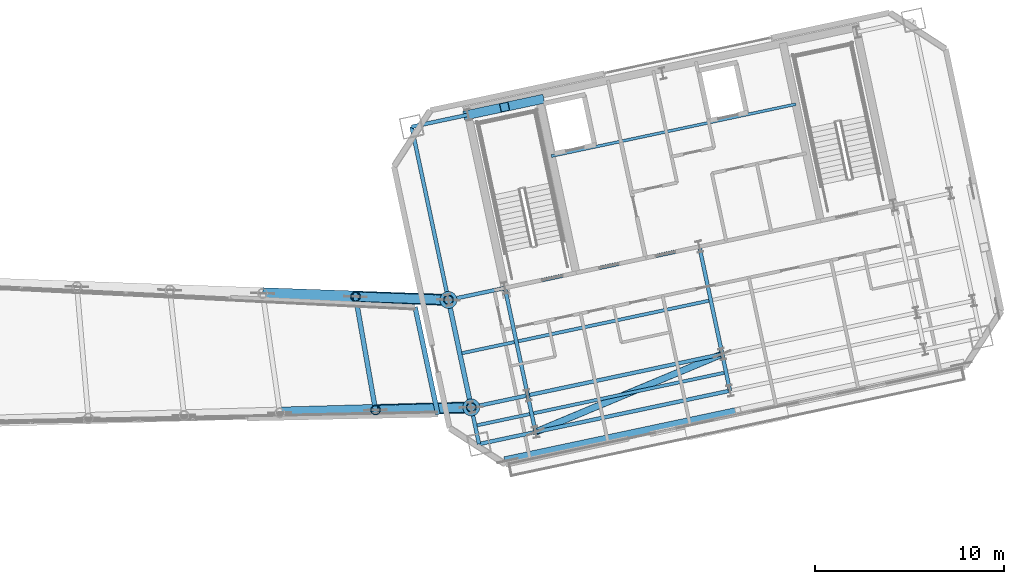
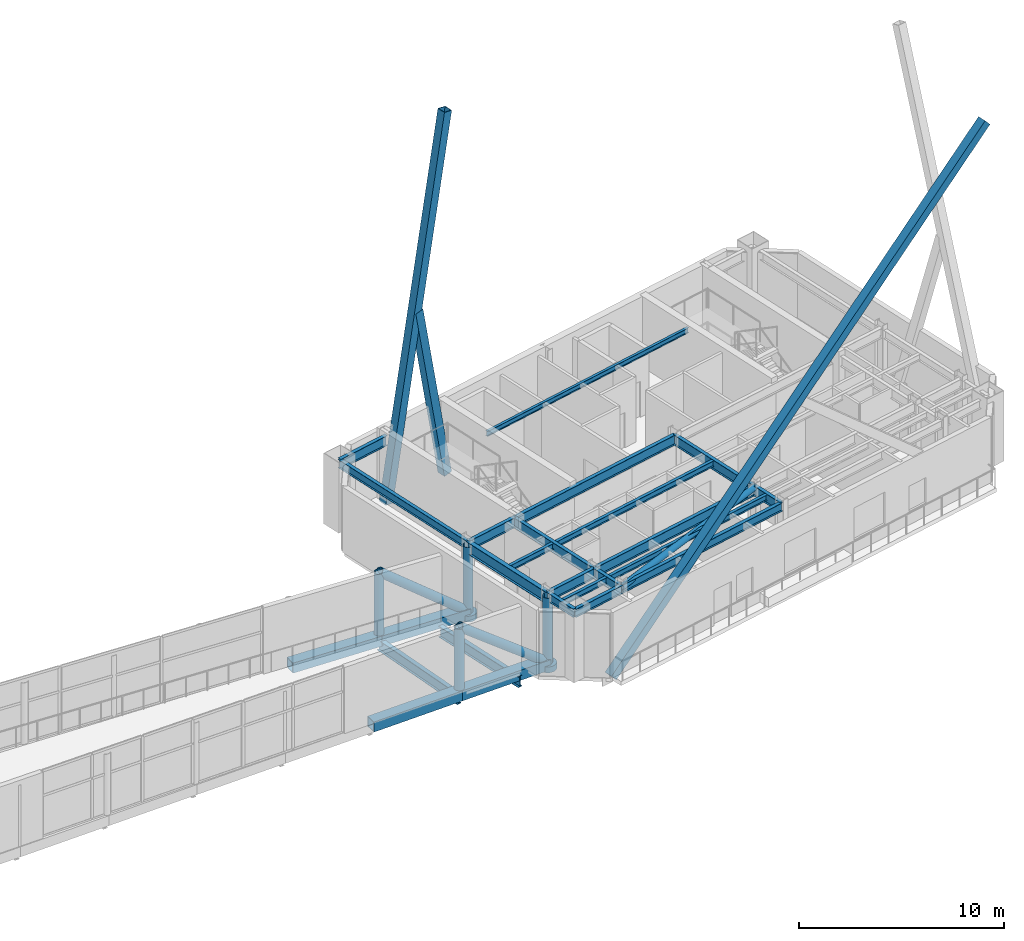
# One storey, part 10 of 23: 21 beams, 16 members.
"""IFC4 building model written with IfcOpenShell, lengths in metres."""

from ifc_helpers import new_model, si_unit, direction, frame, origin, origin_2d, place, context, subcontext, project, spatial, hollow_rectangle, circle, hollow_circle, i_section, extrude, material, material_profile, profile_set, type_object, element, save


model = new_model("IFC4")

# Units and contexts
model_context = context("Model", 3, precision=1e-05, world=origin(), true_north=direction((0.0, 1.0)))
body_context = subcontext(model_context, "Body", "Model", "MODEL_VIEW")
ifc_project = project(units=[si_unit("LENGTHUNIT", "METRE"), si_unit("AREAUNIT", "SQUARE_METRE"), si_unit("VOLUMEUNIT", "CUBIC_METRE"), si_unit("PLANEANGLEUNIT", "RADIAN"), si_unit("MASSUNIT", "GRAM", prefix="KILO")], contexts=[model_context])

# Site, building, storey
site_placement = place(None, origin())
site = spatial("IfcSite", under=ifc_project, at=site_placement, CompositionType="ELEMENT")
building_placement = place(site_placement, origin())
building = spatial("IfcBuilding", under=site, at=building_placement, Name="Haevon Station Towers", CompositionType="ELEMENT")
storey_placement = place(building_placement, frame((0.0, 0.0, 197.10009765625)))
storey = spatial("IfcBuildingStorey", under=building, at=storey_placement, Name="L54", CompositionType="ELEMENT", Elevation=197.10009765625)

# Beams
ifc_material_1 = material(Name="Steel S355", Category="steel")
ifc_material_profile_1 = material_profile(ifc_material_1, i_section(OverallWidth=0.199951171875, OverallDepth=0.60009765625, WebThickness=0.010986328125, FlangeThickness=0.01708984375, at=origin_2d()), Name="H-600x200x11x17")
ifc_profile_set_1 = profile_set([ifc_material_profile_1], Name="Steel S355")
beam_type_1 = type_object("IfcBeamType", Name="BM-G600", PredefinedType="BEAM", material=ifc_profile_set_1)
beam_1_placement = place(storey_placement, frame((96.974853515625, 31.135009765625, 3.599853515625), z_axis=(0.978154782045, 0.207877902534, 0.0), x_axis=(-0.207877902534, 0.978154782045, 0.0)))
element("IfcBeam", 1, at=beam_1_placement, inside=storey, type_object=beam_type_1, Name="BM-T2U-L54-02-01", PredefinedType="BEAM", context=body_context, shape_type="SweptSolid", body=[
    extrude(i_section(OverallWidth=0.199951171875, OverallDepth=0.60009765625, WebThickness=0.010986328125, FlangeThickness=0.01708984375, at=origin_2d()), origin(), (0.0, 0.0, 1.0), 3.050048828125),
])
beam_2_placement = place(storey_placement, frame((99.958251953125, 31.76904296875, 3.599853515625), z_axis=(0.978146794194, 0.207915485254, 0.0), x_axis=(-0.207915485254, 0.978146794194, 0.0)))
element("IfcBeam", 2, at=beam_2_placement, inside=storey, type_object=beam_type_1, Name="BM-T2U-L54-02-02", PredefinedType="BEAM", context=body_context, shape_type="SweptSolid", body=[
    extrude(i_section(OverallWidth=0.199951171875, OverallDepth=0.60009765625, WebThickness=0.010986328125, FlangeThickness=0.01708984375, at=origin_2d()), origin(), (0.0, 0.0, 1.0), 10.5),
])
beam_3_placement = place(storey_placement, frame((95.76904296875, 36.808349609375, 3.599853515625), z_axis=(0.978154782045, 0.207877902534, 0.0), x_axis=(-0.207877902534, 0.978154782045, 0.0)))
element("IfcBeam", 3, at=beam_3_placement, inside=storey, type_object=beam_type_1, Name="BM-T2U-L54-03-01", PredefinedType="BEAM", context=body_context, shape_type="SweptSolid", body=[
    extrude(i_section(OverallWidth=0.199951171875, OverallDepth=0.60009765625, WebThickness=0.010986328125, FlangeThickness=0.01708984375, at=origin_2d()), origin(), (0.0, 0.0, 1.0), 3.050048828125),
])
beam_4_placement = place(storey_placement, frame((98.75244140625, 37.4423828125, 3.599853515625), z_axis=(0.978146794194, 0.207915485254, 0.0), x_axis=(-0.207915485254, 0.978146794194, 0.0)))
element("IfcBeam", 4, at=beam_4_placement, inside=storey, type_object=beam_type_1, Name="BM-T2U-L54-03-02", PredefinedType="BEAM", context=body_context, shape_type="SweptSolid", body=[
    extrude(i_section(OverallWidth=0.199951171875, OverallDepth=0.60009765625, WebThickness=0.010986328125, FlangeThickness=0.01708984375, at=origin_2d()), origin(), (0.0, 0.0, 1.0), 10.5),
])
beam_5_placement = place(storey_placement, frame((93.824951171875, 45.953857421875, 3.599853515625), z_axis=(0.978138503145, 0.207954487003, 0.0), x_axis=(-0.207954487003, 0.978138503145, 0.0)))
element("IfcBeam", 5, at=beam_5_placement, inside=storey, type_object=beam_type_1, Name="BM-T2U-L54-04-01", PredefinedType="BEAM", context=body_context, shape_type="SweptSolid", body=[
    extrude(i_section(OverallWidth=0.199951171875, OverallDepth=0.60009765625, WebThickness=0.010986328125, FlangeThickness=0.01708984375, at=origin_2d()), origin(), (0.0, 0.0, 1.0), 3.050048828125),
])
beam_6_placement = place(storey_placement, frame((100.369873046875, 29.83251953125, 3.599853515625), z_axis=(-0.207911850433, 0.978147566806, 0.0), x_axis=(-0.978147566806, -0.207911850433, 0.0)))
element("IfcBeam", 6, at=beam_6_placement, inside=storey, type_object=beam_type_1, Name="BM-T2V-L54-02-01", PredefinedType="BEAM", context=body_context, shape_type="SweptSolid", body=[
    extrude(i_section(OverallWidth=0.199951171875, OverallDepth=0.60009765625, WebThickness=0.010986328125, FlangeThickness=0.01708984375, at=origin_2d()), origin(), (0.0, 0.0, 1.0), 1.979736328125),
])
beam_7_placement = place(storey_placement, frame((99.958251953125, 31.76904296875, 3.599853515625), z_axis=(-0.207896009217, 0.97815093383, 0.0), x_axis=(-0.97815093383, -0.207896009217, 0.0)))
element("IfcBeam", 7, at=beam_7_placement, inside=storey, type_object=beam_type_1, Name="BM-T2V-L54-02-02", PredefinedType="BEAM", context=body_context, shape_type="SweptSolid", body=[
    extrude(i_section(OverallWidth=0.199951171875, OverallDepth=0.60009765625, WebThickness=0.010986328125, FlangeThickness=0.01708984375, at=origin_2d()), origin(), (0.0, 0.0, 1.0), 5.800048828125),
])
beam_8_placement = place(storey_placement, frame((110.640380859375, 32.015380859375, 3.599853515625), z_axis=(-0.207886774674, 0.978152896492, 0.0), x_axis=(-0.978152896492, -0.207886774674, 0.0)))
element("IfcBeam", 8, at=beam_8_placement, inside=storey, type_object=beam_type_1, Name="BM-T2V-L54-03-01", PredefinedType="BEAM", context=body_context, shape_type="SweptSolid", body=[
    extrude(i_section(OverallWidth=0.199951171875, OverallDepth=0.60009765625, WebThickness=0.010986328125, FlangeThickness=0.01708984375, at=origin_2d()), origin(), (0.0, 0.0, 1.0), 1.97998046875),
])
beam_9_placement = place(storey_placement, frame((110.228759765625, 33.9521484375, 3.599853515625), z_axis=(-0.207896009217, 0.97815093383, 0.0), x_axis=(-0.97815093383, -0.207896009217, 0.0)))
element("IfcBeam", 9, at=beam_9_placement, inside=storey, type_object=beam_type_1, Name="BM-T2V-L54-03-02", PredefinedType="BEAM", context=body_context, shape_type="SweptSolid", body=[
    extrude(i_section(OverallWidth=0.199951171875, OverallDepth=0.60009765625, WebThickness=0.010986328125, FlangeThickness=0.01708984375, at=origin_2d()), origin(), (0.0, 0.0, 1.0), 5.800048828125),
])
ifc_material_profile_2 = material_profile(ifc_material_1, i_section(OverallWidth=0.25, OverallDepth=0.64990234375, WebThickness=0.012939453125, FlangeThickness=0.02197265625, at=origin_2d()), Name="H-650x250x13x22")
ifc_profile_set_2 = profile_set([ifc_material_profile_2], Name="Steel S355")
beam_type_2 = type_object("IfcBeamType", Name="BM-G650", PredefinedType="BEAM", material=ifc_profile_set_2)
beam_10_placement = place(storey_placement, frame((91.918701171875, 30.9931640625, -0.625), z_axis=(-0.173512789703, 0.984831615968, 0.0), x_axis=(-0.984831615968, -0.173512789703, 0.0)))
element("IfcBeam", 10, at=beam_10_placement, inside=storey, type_object=beam_type_2, Name="BM-SKP-L54-7", PredefinedType="BEAM", context=body_context, shape_type="SweptSolid", body=[
    extrude(i_section(OverallWidth=0.25, OverallDepth=0.64990234375, WebThickness=0.012939453125, FlangeThickness=0.02197265625, at=origin_2d()), origin(), (0.0, 0.0, 1.0), 6.081298828125),
])
beam_11_placement = place(storey_placement, frame((95.214111328125, 30.7607421875, -0.625), z_axis=(-0.207896009217, 0.97815093383, 0.0), x_axis=(-0.97815093383, -0.207896009217, 0.0)))
element("IfcBeam", 11, at=beam_11_placement, inside=storey, type_object=beam_type_2, Name="BM-SKP-L54-EEDGE", PredefinedType="BEAM", context=body_context, shape_type="SweptSolid", body=[
    extrude(i_section(OverallWidth=0.25, OverallDepth=0.64990234375, WebThickness=0.012939453125, FlangeThickness=0.02197265625, at=origin_2d()), origin(), (0.0, 0.0, 1.0), 5.800048828125),
])
ifc_material_profile_3 = material_profile(ifc_material_1, i_section(OverallWidth=0.25, OverallDepth=0.699951171875, WebThickness=0.012939453125, FlangeThickness=0.02392578125, at=origin_2d()), Name="H-700x250x13x24")
ifc_profile_set_3 = profile_set([ifc_material_profile_3], Name="Steel S355")
beam_type_3 = type_object("IfcBeamType", Name="BM-G700", PredefinedType="BEAM", material=ifc_profile_set_3)
beam_12_placement = place(storey_placement, frame((96.974853515625, 31.135009765625, 3.5498046875), z_axis=(-0.207896009217, 0.97815093383, 0.0), x_axis=(-0.97815093383, -0.207896009217, 0.0)))
element("IfcBeam", 12, at=beam_12_placement, inside=storey, type_object=beam_type_3, Name="BM-T2V-L54-01-02", PredefinedType="BEAM", context=body_context, shape_type="SweptSolid", body=[
    extrude(i_section(OverallWidth=0.25, OverallDepth=0.699951171875, WebThickness=0.012939453125, FlangeThickness=0.02392578125, at=origin_2d()), origin(), (0.0, 0.0, 1.0), 5.800048828125),
])
ifc_material_profile_4 = material_profile(ifc_material_1, i_section(OverallWidth=0.175048828125, OverallDepth=0.35009765625, WebThickness=0.007080078125, FlangeThickness=0.010986328125, at=origin_2d()), Name="H-350x175x7x11")
ifc_profile_set_4 = profile_set([ifc_material_profile_4], Name="Steel S355")
beam_type_4 = type_object("IfcBeamType", Name="BM-J350", PredefinedType="JOIST", material=ifc_profile_set_4)
beam_13_placement = place(storey_placement, frame((97.288330078125, 30.189453125, 3.724853515625), z_axis=(0.9781470094, 0.207914472804, 0.0), x_axis=(-0.207914472804, 0.9781470094, 0.0)))
element("IfcBeam", 13, at=beam_13_placement, inside=storey, type_object=beam_type_4, Name="BM-T2J-L54-01-01", PredefinedType="JOIST", context=body_context, shape_type="SweptSolid", body=[
    extrude(i_section(OverallWidth=0.175048828125, OverallDepth=0.35009765625, WebThickness=0.007080078125, FlangeThickness=0.010986328125, at=origin_2d()), origin(), (0.0, 0.0, 1.0), 2.829833984375),
])
beam_14_placement = place(storey_placement, frame((100.271728515625, 30.82373046875, 3.724853515625), z_axis=(0.978149313139, 0.20790363442, 0.0), x_axis=(-0.20790363442, 0.978149313139, 0.0)))
element("IfcBeam", 14, at=beam_14_placement, inside=storey, type_object=beam_type_4, Name="BM-T2J-L54-01-02", PredefinedType="JOIST", context=body_context, shape_type="SweptSolid", body=[
    extrude(i_section(OverallWidth=0.175048828125, OverallDepth=0.35009765625, WebThickness=0.007080078125, FlangeThickness=0.010986328125, at=origin_2d()), origin(), (0.0, 0.0, 1.0), 10.27978515625),
])
beam_15_placement = place(storey_placement, frame((96.4794921875, 33.99462890625, 3.724853515625), z_axis=(0.978150738312, 0.207896929124, 0.0), x_axis=(-0.207896929124, 0.978150738312, 0.0)))
element("IfcBeam", 15, at=beam_15_placement, inside=storey, type_object=beam_type_4, Name="BM-T2J-L54-02-01", PredefinedType="JOIST", context=body_context, shape_type="SweptSolid", body=[
    extrude(i_section(OverallWidth=0.175048828125, OverallDepth=0.35009765625, WebThickness=0.007080078125, FlangeThickness=0.010986328125, at=origin_2d()), origin(), (0.0, 0.0, 1.0), 2.830078125),
])
beam_16_placement = place(storey_placement, frame((99.462890625, 34.628662109375, 3.724853515625), z_axis=(0.978150339653, 0.207898804801, 0.0), x_axis=(-0.207898804801, 0.978150339653, 0.0)))
element("IfcBeam", 16, at=beam_16_placement, inside=storey, type_object=beam_type_4, Name="BM-T2J-L54-02-02", PredefinedType="JOIST", context=body_context, shape_type="SweptSolid", body=[
    extrude(i_section(OverallWidth=0.175048828125, OverallDepth=0.35009765625, WebThickness=0.007080078125, FlangeThickness=0.010986328125, at=origin_2d()), origin(), (0.0, 0.0, 1.0), 10.280029296875),
])
ifc_material_profile_5 = material_profile(ifc_material_1, i_section(OverallWidth=0.14990234375, OverallDepth=0.300048828125, WebThickness=0.006591796875, FlangeThickness=0.009033203125, at=origin_2d()), Name="H-300x150x6.5x9")
ifc_profile_set_5 = profile_set([ifc_material_profile_5], Name="Steel S355")
beam_type_5 = type_object("IfcBeamType", Name="BM-LIN300", PredefinedType="LINTEL", material=ifc_profile_set_5)
beam_17_placement = place(storey_placement, frame((101.20849609375, 44.4052734375, 3.75), z_axis=(0.978147802964, 0.207910739399, 0.0), x_axis=(-0.207910739399, 0.978147802964, 0.0)))
element("IfcBeam", 17, at=beam_17_placement, inside=storey, type_object=beam_type_5, Name="BM-T2LIN-L54", PredefinedType="LINTEL", context=body_context, shape_type="SweptSolid", body=[
    extrude(i_section(OverallWidth=0.14990234375, OverallDepth=0.300048828125, WebThickness=0.006591796875, FlangeThickness=0.009033203125, at=origin_2d()), origin(), (0.0, 0.0, 1.0), 13.19970703125),
])
ifc_material_profile_6 = material_profile(ifc_material_1, i_section(OverallWidth=0.199951171875, OverallDepth=0.5, WebThickness=0.010009765625, FlangeThickness=0.01611328125, at=origin_2d()), Name="H-500x200x10x16")
ifc_profile_set_6 = profile_set([ifc_material_profile_6], Name="Steel S355")
beam_type_6 = type_object("IfcBeamType", Name="BM-SP500", PredefinedType="SPANDREL", material=ifc_profile_set_6)
beam_18_placement = place(storey_placement, frame((97.386474609375, 29.1982421875, 3.64990234375), z_axis=(0.978138503145, 0.207954487003, 0.0), x_axis=(-0.207954487003, 0.978138503145, 0.0)))
element("IfcBeam", 18, at=beam_18_placement, inside=storey, type_object=beam_type_6, Name="BM-T2U-L54-01-01", PredefinedType="SPANDREL", context=body_context, shape_type="SweptSolid", body=[
    extrude(i_section(OverallWidth=0.199951171875, OverallDepth=0.5, WebThickness=0.010009765625, FlangeThickness=0.01611328125, at=origin_2d()), origin(), (0.0, 0.0, 1.0), 3.050048828125),
])
beam_19_placement = place(storey_placement, frame((100.369873046875, 29.83251953125, 3.64990234375), z_axis=(0.978151522678, 0.207893238667, 0.0), x_axis=(-0.207893238667, 0.978151522678, 0.0)))
element("IfcBeam", 19, at=beam_19_placement, inside=storey, type_object=beam_type_6, Name="BM-T2U-L54-01-02", PredefinedType="SPANDREL", context=body_context, shape_type="SweptSolid", body=[
    extrude(i_section(OverallWidth=0.199951171875, OverallDepth=0.5, WebThickness=0.010009765625, FlangeThickness=0.01611328125, at=origin_2d()), origin(), (0.0, 0.0, 1.0), 10.5),
])
beam_20_placement = place(storey_placement, frame((97.386474609375, 29.1982421875, 3.64990234375), z_axis=(-0.207886774674, 0.978152896492, 0.0), x_axis=(-0.978152896492, -0.207886774674, 0.0)))
element("IfcBeam", 20, at=beam_20_placement, inside=storey, type_object=beam_type_6, Name="BM-T2V-L54-01-01", PredefinedType="SPANDREL", context=body_context, shape_type="SweptSolid", body=[
    extrude(i_section(OverallWidth=0.199951171875, OverallDepth=0.5, WebThickness=0.010009765625, FlangeThickness=0.01611328125, at=origin_2d()), origin(), (0.0, 0.0, 1.0), 1.97998046875),
])
beam_21_placement = place(storey_placement, frame((95.76904296875, 36.808349609375, 3.64990234375), z_axis=(-0.207927460032, 0.978144248751, 0.0), x_axis=(-0.978144248751, -0.207927460032, 0.0)))
element("IfcBeam", 21, at=beam_21_placement, inside=storey, type_object=beam_type_6, Name="BM-T2V-L54-01-03", PredefinedType="SPANDREL", context=body_context, shape_type="SweptSolid", body=[
    extrude(i_section(OverallWidth=0.199951171875, OverallDepth=0.5, WebThickness=0.010009765625, FlangeThickness=0.01611328125, at=origin_2d()), origin(), (0.0, 0.0, 1.0), 9.349853515625),
])

# Members
ifc_material_2 = material(Name="Stainless steel and PTFE EN 1337-7", Category="steel")
ifc_material_profile_7 = material_profile(ifc_material_2, circle(Radius=0.449951171875, at=origin_2d()), Name="PTFE-BEARING-D900")
ifc_profile_set_7 = profile_set([ifc_material_profile_7], Name="Stainless steel and PTFE EN 1337-7")
member_type_1 = type_object("IfcMemberType", Name="BRG-PTFE900", PredefinedType="USERDEFINED", material=ifc_profile_set_7)
for number, where, z_axis, x_axis, name in (
    (22, (96.974853515625, 31.135009765625, -0.650146484375), (0.0, 0.0, 1.0), (1.0, 0.0, 0.0), "SKY-PARK SLIDING PTFE BEARING"),
    (23, (95.76904296875, 36.808349609375, -0.650146484375), (0.0, 0.0, 1.0), (1.0, 0.0, 0.0), "SKY-PARK SLIDING PTFE BEARING"),
):
    element("IfcMember", number, at=place(storey_placement, frame(where, z_axis=z_axis, x_axis=x_axis)), inside=storey, type_object=member_type_1, Name=name, ObjectType="BEARING", PredefinedType="USERDEFINED", context=body_context, shape_type="SweptSolid", body=[
        extrude(circle(Radius=0.449951171875, at=origin_2d()), origin(), (0.0, 0.0, 1.0), 0.35009765625),
    ])
ifc_material_3 = material(Name="Steel S460", Category="steel")
ifc_material_profile_8 = material_profile(ifc_material_3, hollow_circle(Radius=0.25390625, WallThickness=0.02197265625, at=origin_2d()), Name="CHS-508x22")
ifc_profile_set_8 = profile_set([ifc_material_profile_8], Name="Steel S460")
member_type_2 = type_object("IfcMemberType", Name="BRSKP-508", PredefinedType="BRACE", material=ifc_profile_set_8)
member_1_placement = place(storey_placement, frame((91.918701171875, 30.9931640625, 3.64990234375), z_axis=(0.787844559561, 0.022102254423, -0.615477408456), x_axis=(-0.028043046946, 0.999606716423, 0.0)))
element("IfcMember", 24, at=member_1_placement, inside=storey, type_object=member_type_2, Name="BR-SKP-S-L54-8", PredefinedType="BRACE", context=body_context, shape_type="SweptSolid", body=[
    extrude(hollow_circle(Radius=0.25390625, WallThickness=0.02197265625, at=origin_2d()), origin(), (0.0, 0.0, 1.0), 6.417724609375),
])
member_2_placement = place(storey_placement, frame((90.863525390625, 36.982177734375, 3.64990234375), z_axis=(0.778590487144, -0.027589530028, -0.626925570671), x_axis=(0.035412999913, 0.999372763005, 0.0)))
element("IfcMember", 25, at=member_2_placement, inside=storey, type_object=member_type_2, Name="BR-SKP-N-L54-8", PredefinedType="BRACE", context=body_context, shape_type="SweptSolid", body=[
    extrude(hollow_circle(Radius=0.25390625, WallThickness=0.02197265625, at=origin_2d()), origin(), (0.0, 0.0, 1.0), 6.300537109375),
])
ifc_material_profile_9 = material_profile(ifc_material_3, hollow_rectangle(XDim=0.60009765625, YDim=0.60009765625, WallThickness=0.030029296875, at=origin_2d()), Name="RHS-600x600x30")
ifc_profile_set_9 = profile_set([ifc_material_profile_9], Name="Steel S460")
member_type_3 = type_object("IfcMemberType", Name="CHSKP-600", PredefinedType="CHORD", material=ifc_profile_set_9)
member_3_placement = place(storey_placement, frame((86.8623046875, 30.851318359375, -0.300048828125), z_axis=(0.999606754378, 0.028041693993, 0.0), x_axis=(-0.028041693993, 0.999606754378, 0.0)))
element("IfcMember", 26, at=member_3_placement, inside=storey, type_object=member_type_3, Name="CH-SKP-S-BOT-7", PredefinedType="CHORD", context=body_context, shape_type="SweptSolid", body=[
    extrude(hollow_rectangle(XDim=0.60009765625, YDim=0.60009765625, WallThickness=0.030029296875, at=origin_2d()), origin(), (0.0, 0.0, 1.0), 5.058349609375),
])
member_4_placement = place(storey_placement, frame((91.918701171875, 30.9931640625, -0.300048828125), z_axis=(0.999606716423, 0.028043046946, 0.0), x_axis=(-0.028043046946, 0.999606716423, 0.0)))
element("IfcMember", 27, at=member_4_placement, inside=storey, type_object=member_type_3, Name="CH-SKP-S-BOT-8", PredefinedType="CHORD", context=body_context, shape_type="SweptSolid", body=[
    extrude(hollow_rectangle(XDim=0.60009765625, YDim=0.60009765625, WallThickness=0.030029296875, at=origin_2d()), origin(), (0.0, 0.0, 1.0), 5.05810546875),
])
for number, where, z_axis, x_axis, name in (
    (28, (85.9580078125, 37.15625, -0.300048828125), (0.99937100153, -0.035462674767, 0.0), (0.035462674767, 0.99937100153, 0.0), "CH-SKP-N-BOT-7"),
    (29, (90.863525390625, 36.982177734375, -0.300048828125), (0.999372763005, -0.035412999913, 0.0), (0.035412999913, 0.999372763005, 0.0), "CH-SKP-N-BOT-8"),
):
    element("IfcMember", number, at=place(storey_placement, frame(where, z_axis=z_axis, x_axis=x_axis)), inside=storey, type_object=member_type_3, Name=name, PredefinedType="CHORD", context=body_context, shape_type="SweptSolid", body=[
        extrude(hollow_rectangle(XDim=0.60009765625, YDim=0.60009765625, WallThickness=0.030029296875, at=origin_2d()), origin(), (0.0, 0.0, 1.0), 4.90869140625),
    ])
ifc_material_profile_10 = material_profile(ifc_material_3, hollow_rectangle(XDim=0.47998046875, YDim=0.47998046875, WallThickness=0.02490234375, at=origin_2d()), Name="RHS-480x480x25")
ifc_profile_set_10 = profile_set([ifc_material_profile_10], Name="Steel S460")
member_type_4 = type_object("IfcMemberType", Name="MB-480", PredefinedType="BRACE", material=ifc_profile_set_10)
member_5_placement = place(storey_placement, frame((98.9013671875, 28.32421875, -0.1201171875), z_axis=(0.734159046144, 0.156047783074, 0.660802227874), x_axis=(-0.20790845361, 0.978148288818, 0.0)))
element("IfcMember", 30, at=member_5_placement, inside=storey, type_object=member_type_4, Name="BR-T2MB-T08-S-D1", PredefinedType="BRACE", context=body_context, shape_type="SweptSolid", body=[
    extrude(hollow_rectangle(XDim=0.47998046875, YDim=0.47998046875, WallThickness=0.02490234375, at=origin_2d()), origin(), (0.0, 0.0, 1.0), 32.642333984375),
])
member_6_placement = place(storey_placement, frame((96.808349609375, 46.588134765625, -0.1201171875), z_axis=(0.171871425125, 0.036535909432, 0.984441638975), x_axis=(-0.207930804564, 0.978143537786, 0.0)))
element("IfcMember", 31, at=member_6_placement, inside=storey, type_object=member_type_4, Name="BR-T2MB-T08-N-D1", PredefinedType="BRACE", context=body_context, shape_type="SweptSolid", body=[
    extrude(hollow_rectangle(XDim=0.47998046875, YDim=0.47998046875, WallThickness=0.02490234375, at=origin_2d()), origin(), (0.0, 0.0, 1.0), 21.910888671875),
])
member_7_placement = place(storey_placement, frame((100.57421875, 47.388671875, -0.1201171875), z_axis=(-0.171870693775, -0.036541055266, 0.984441575667), x_axis=(0.207959670418, -0.978137401125, 0.0)))
element("IfcMember", 32, at=member_7_placement, inside=storey, type_object=member_type_4, Name="BR-T2MB-T08-N-D2A", PredefinedType="BRACE", context=body_context, shape_type="SweptSolid", body=[
    extrude(hollow_rectangle(XDim=0.47998046875, YDim=0.47998046875, WallThickness=0.02490234375, at=origin_2d()), origin(), (0.0, 0.0, 1.0), 10.703369140625),
])
ifc_material_profile_11 = material_profile(ifc_material_3, hollow_circle(Radius=0.25390625, WallThickness=0.02197265625, at=origin_2d()), Name="CHS-508x22")
ifc_profile_set_11 = profile_set([ifc_material_profile_11], Name="Steel S460")
member_type_5 = type_object("IfcMemberType", Name="PSSKP-508", PredefinedType="POST", material=ifc_profile_set_11)
for number, where, z_axis, x_axis, name in (
    (33, (91.918701171875, 30.9931640625, -0.300048828125), (0.0, 0.0, 1.0), (1.0, 0.0, 0.0), "PS-SKP-S-L54-8"),
    (34, (96.974853515625, 31.135009765625, -0.300048828125), (0.0, 0.0, 1.0), (1.0, 0.0, 0.0), "PS-SKP-S-L54-9"),
    (35, (90.863525390625, 36.982177734375, -0.300048828125), (0.0, 0.0, 1.0), (1.0, 0.0, 0.0), "PS-SKP-N-L54-8"),
    (36, (95.76904296875, 36.808349609375, -0.300048828125), (0.0, 0.0, 1.0), (1.0, 0.0, 0.0), "PS-SKP-N-L54-9"),
):
    element("IfcMember", number, at=place(storey_placement, frame(where, z_axis=z_axis, x_axis=x_axis)), inside=storey, type_object=member_type_5, Name=name, PredefinedType="POST", context=body_context, shape_type="SweptSolid", body=[
        extrude(hollow_circle(Radius=0.25390625, WallThickness=0.02197265625, at=origin_2d()), origin(), (0.0, 0.0, 1.0), 3.949951171875),
    ])
ifc_material_profile_12 = material_profile(ifc_material_1, hollow_circle(Radius=0.177734375, WallThickness=0.01611328125, at=origin_2d()), Name="CHS-355.6x16")
ifc_profile_set_12 = profile_set([ifc_material_profile_12], Name="Steel S355")
member_type_6 = type_object("IfcMemberType", Name="STTIE-356", PredefinedType="STRUT", material=ifc_profile_set_12)
member_8_placement = place(storey_placement, frame((100.369873046875, 29.83251953125, 3.739990234375), z_axis=(0.922685716427, 0.385552938908, 0.0), x_axis=(-0.385552938908, 0.922685716427, 0.0)))
element("IfcMember", 37, at=member_8_placement, inside=storey, type_object=member_type_6, Name="ST-T2TIE-L54", PredefinedType="STRUT", context=body_context, shape_type="SweptSolid", body=[
    extrude(hollow_circle(Radius=0.177734375, WallThickness=0.01611328125, at=origin_2d()), origin(), (0.0, 0.0, 1.0), 10.68505859375),
])

save(model, "model.ifc")
